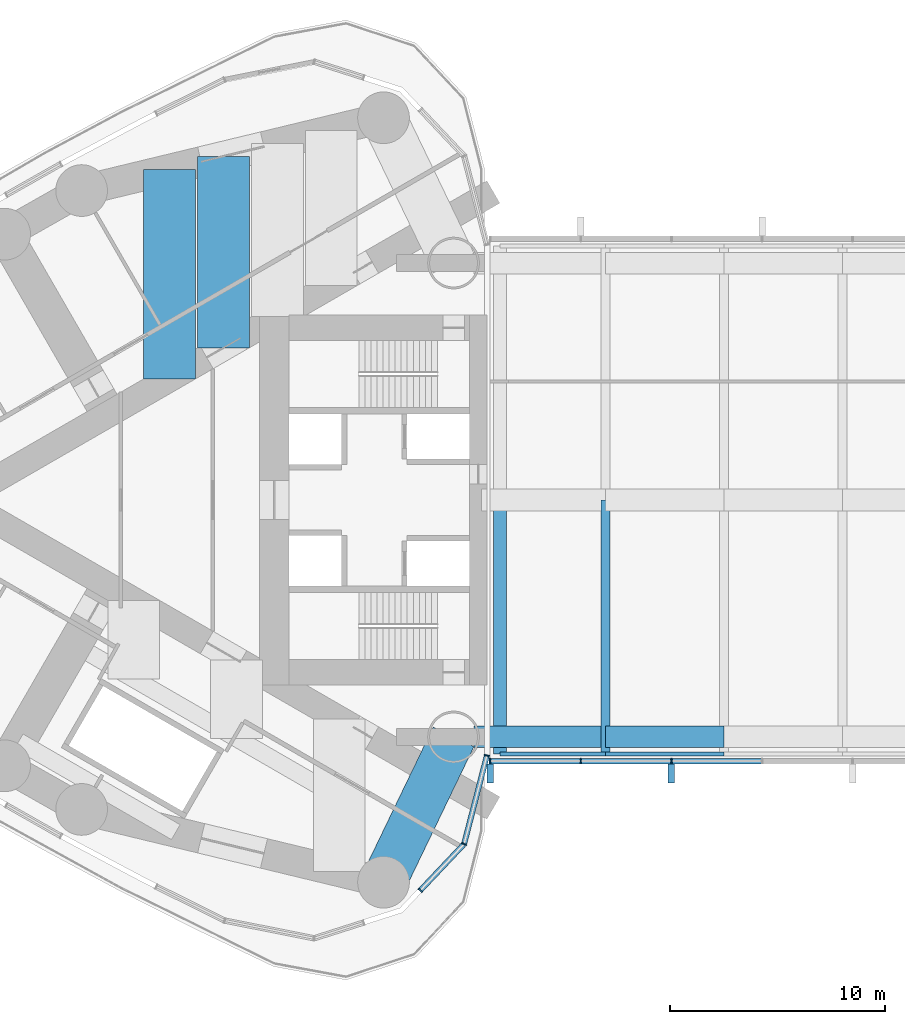
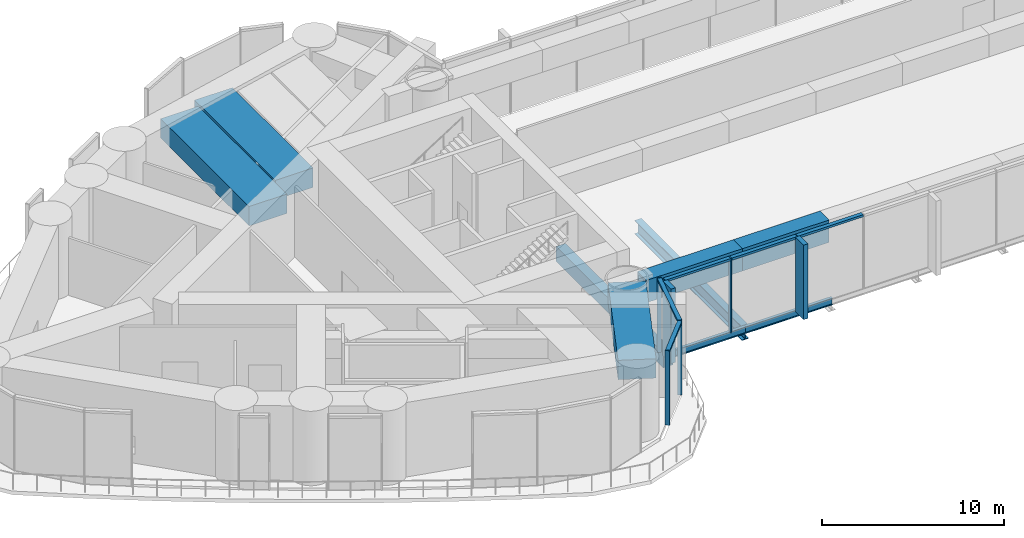
# One storey, part 3 of 22: 15 members, 7 beams, 2 elements without a shape of their own.
"""IFC4 building model written with IfcOpenShell, lengths in metres."""

from ifc_helpers import new_model, si_unit, direction, frame, origin, origin_2d, place, context, subcontext, project, spatial, rectangle, hollow_rectangle, i_section, extrude, material, material_profile, profile_set, type_object, element, aggregate, save


model = new_model("IFC4")

# Units and contexts
model_context = context("Model", 3, precision=1e-05, world=origin(), true_north=direction((0.0, 1.0)))
body_context = subcontext(model_context, "Body", "Model", "MODEL_VIEW")
ifc_project = project(units=[si_unit("LENGTHUNIT", "METRE"), si_unit("AREAUNIT", "SQUARE_METRE"), si_unit("VOLUMEUNIT", "CUBIC_METRE"), si_unit("PLANEANGLEUNIT", "RADIAN"), si_unit("MASSUNIT", "GRAM", prefix="KILO")], contexts=[model_context])

# Site, building, storey
site_placement = place(None, origin())
site = spatial("IfcSite", under=ifc_project, at=site_placement, CompositionType="ELEMENT")
building_placement = place(site_placement, origin())
building = spatial("IfcBuilding", under=site, at=building_placement, Name="Lancet Gate Hotel", CompositionType="ELEMENT")
storey_placement = place(building_placement, frame((0.0, 0.0, 210.300048828125)))
storey = spatial("IfcBuildingStorey", under=building, at=storey_placement, Name="L56", CompositionType="ELEMENT", Elevation=210.300048828125)

# Curtain wall, members
ifc_material_1 = material(Name="Aluminium curtain wall", Category="aluminium")
curtain_wall_type = type_object("IfcCurtainWallType", Name="Refuge storey louvred curtain wall", PredefinedType="USERDEFINED", material=ifc_material_1)
curtain_wall_1_placement = place(storey_placement, origin())
curtain_wall_1 = element("IfcCurtainWall", 1, at=curtain_wall_1_placement, inside=storey, type_object=curtain_wall_type, Name="T1 L56 curtain wall 11", ObjectType="LANTERN GLAZING", PredefinedType="USERDEFINED")
ifc_material_2 = material(Name="Aluminium mullion", Category="aluminium")
ifc_material_profile_1 = material_profile(ifc_material_2, rectangle(XDim=0.06494140625, YDim=0.25, at=origin_2d()), Name="MULLION 65x250")
ifc_profile_set_1 = profile_set([ifc_material_profile_1], Name="Aluminium mullion")
member_type_1 = type_object("IfcMemberType", Name="Aluminium mullion 65x250", PredefinedType="MULLION", material=ifc_profile_set_1)
member_1_placement = place(storey_placement, frame((-30.593017578125, -18.123291015625, 0.0), z_axis=(0.0, 0.0, 1.0), x_axis=(0.686882887577, 0.726768118972, 0.0)))
member_1 = element("IfcMember", 2, at=member_1_placement, type_object=member_type_1, Name="T1 L56 curtain wall 11 mullion 1", PredefinedType="MULLION", context=body_context, shape_type="SweptSolid", body=[
    extrude(rectangle(XDim=0.06494140625, YDim=0.25, at=origin_2d()), origin(), (0.0, 0.0, 1.0), 5.0),
])
member_2_placement = place(storey_placement, frame((-28.56005859375, -15.97216796875, 0.0), z_axis=(0.0, 0.0, 1.0), x_axis=(0.44287478238, 0.896583474715, 0.0)))
member_2 = element("IfcMember", 3, at=member_2_placement, type_object=member_type_1, Name="T1 L56 curtain wall 11 mullion 2", PredefinedType="MULLION", context=body_context, shape_type="SweptSolid", body=[
    extrude(rectangle(XDim=0.06494140625, YDim=0.25, at=origin_2d()), origin(), (0.0, 0.0, 1.0), 5.0),
])
member_3_placement = place(storey_placement, frame((-27.5, -11.861572265625, 0.0), z_axis=(0.0, 0.0, 1.0), x_axis=(0.249725827997, 0.968316586056, 0.0)))
member_3 = element("IfcMember", 4, at=member_3_placement, type_object=member_type_1, Name="T1 L56 curtain wall 11 mullion 3", PredefinedType="MULLION", context=body_context, shape_type="SweptSolid", body=[
    extrude(rectangle(XDim=0.06494140625, YDim=0.25, at=origin_2d()), origin(), (0.0, 0.0, 1.0), 5.0),
])

curtain_wall_2_placement = place(storey_placement, origin())
curtain_wall_2 = element("IfcCurtainWall", 5, at=curtain_wall_2_placement, inside=storey, type_object=curtain_wall_type, Name="Bridge block L56 curtain wall S", ObjectType="LANTERN GLAZING", PredefinedType="USERDEFINED")
member_4_placement = place(storey_placement, frame((-27.35009765625, -12.1201171875, 0.0), z_axis=(0.0, 0.0, 1.0), x_axis=(1.0, 0.0, 0.0)))
member_4 = element("IfcMember", 6, at=member_4_placement, type_object=member_type_1, Name="Bridge block L56 curtain wall S mullion 1", PredefinedType="MULLION", context=body_context, shape_type="SweptSolid", body=[
    extrude(rectangle(XDim=0.06494140625, YDim=0.25, at=origin_2d()), origin(), (0.0, 0.0, 1.0), 5.0),
])
member_5_placement = place(storey_placement, frame((-23.142333984375, -12.1201171875, 0.0), z_axis=(0.0, 0.0, 1.0), x_axis=(1.0, 0.0, 0.0)))
member_5 = element("IfcMember", 7, at=member_5_placement, type_object=member_type_1, Name="Bridge block L56 curtain wall S mullion 2", PredefinedType="MULLION", context=body_context, shape_type="SweptSolid", body=[
    extrude(rectangle(XDim=0.06494140625, YDim=0.25, at=origin_2d()), origin(), (0.0, 0.0, 1.0), 5.0),
])
member_6_placement = place(storey_placement, frame((-18.9345703125, -12.1201171875, 0.0), z_axis=(0.0, 0.0, 1.0), x_axis=(1.0, 0.0, 0.0)))
member_6 = element("IfcMember", 8, at=member_6_placement, type_object=member_type_1, Name="Bridge block L56 curtain wall S mullion 3", PredefinedType="MULLION", context=body_context, shape_type="SweptSolid", body=[
    extrude(rectangle(XDim=0.06494140625, YDim=0.25, at=origin_2d()), origin(), (0.0, 0.0, 1.0), 5.0),
])

# Member
ifc_material_3 = material(Name="Aluminium transom", Category="aluminium")
ifc_material_profile_2 = material_profile(ifc_material_3, rectangle(XDim=0.25, YDim=0.14990234375, at=origin_2d()), Name="TRANSOM 250x150")
ifc_profile_set_2 = profile_set([ifc_material_profile_2], Name="Aluminium transom")
member_type_2 = type_object("IfcMemberType", Name="Aluminium transom 250x150", PredefinedType="USERDEFINED", material=ifc_profile_set_2)
member_7_placement = place(storey_placement, frame((-30.57080078125, -18.099609375, 4.925048828125), z_axis=(0.686878579541, 0.726772190558, 0.0), x_axis=(-0.726772190558, 0.686878579541, 0.0)))
member_7 = element("IfcMember", 9, at=member_7_placement, type_object=member_type_2, Name="T1 L56 curtain wall 11 transom 1", ObjectType="TRANSOM", PredefinedType="USERDEFINED", context=body_context, shape_type="SweptSolid", body=[
    extrude(rectangle(XDim=0.25, YDim=0.14990234375, at=origin_2d()), origin(), (0.0, 0.0, 1.0), 2.894775390625),
])

member_8_placement = place(storey_placement, frame((-28.552001953125, -15.94091796875, 4.925048828125), z_axis=(0.249715522936, 0.968319243641, 0.0), x_axis=(-0.968319243641, 0.249715522936, 0.0)))
member_8 = element("IfcMember", 10, at=member_8_placement, type_object=member_type_2, Name="T1 L56 curtain wall 11 transom 2", ObjectType="TRANSOM", PredefinedType="USERDEFINED", context=body_context, shape_type="SweptSolid", body=[
    extrude(rectangle(XDim=0.25, YDim=0.14990234375, at=origin_2d()), origin(), (0.0, 0.0, 1.0), 4.180419921875),
])

aggregate(curtain_wall_1, [member_1, member_2, member_3, member_7, member_8])

member_9_placement = place(storey_placement, frame((-27.3173828125, -12.1201171875, 4.925048828125), z_axis=(1.0, 0.0, 0.0), x_axis=(0.0, 1.0, 0.0)))
member_9 = element("IfcMember", 11, at=member_9_placement, type_object=member_type_2, Name="Bridge block L56 curtain wall S transom 1", ObjectType="TRANSOM", PredefinedType="USERDEFINED", context=body_context, shape_type="SweptSolid", body=[
    extrude(rectangle(XDim=0.25, YDim=0.14990234375, at=origin_2d()), origin(), (0.0, 0.0, 1.0), 4.142578125),
])

member_10_placement = place(storey_placement, frame((-23.10986328125, -12.1201171875, 4.925048828125), z_axis=(1.0, 0.0, 0.0), x_axis=(0.0, 1.0, 0.0)))
member_10 = element("IfcMember", 12, at=member_10_placement, type_object=member_type_2, Name="Bridge block L56 curtain wall S transom 2", ObjectType="TRANSOM", PredefinedType="USERDEFINED", context=body_context, shape_type="SweptSolid", body=[
    extrude(rectangle(XDim=0.25, YDim=0.14990234375, at=origin_2d()), origin(), (0.0, 0.0, 1.0), 4.142822265625),
])

member_11_placement = place(storey_placement, frame((-18.902099609375, -12.1201171875, 4.925048828125), z_axis=(1.0, 0.0, 0.0), x_axis=(0.0, 1.0, 0.0)))
member_11 = element("IfcMember", 13, at=member_11_placement, type_object=member_type_2, Name="Bridge block L56 curtain wall S transom 3", ObjectType="TRANSOM", PredefinedType="USERDEFINED", context=body_context, shape_type="SweptSolid", body=[
    extrude(rectangle(XDim=0.25, YDim=0.14990234375, at=origin_2d()), origin(), (0.0, 0.0, 1.0), 4.142578125),
])

# Beams
ifc_material_4 = material(Name="Steel S355", Category="steel")
ifc_material_profile_3 = material_profile(ifc_material_4, i_section(OverallWidth=0.19140625, OverallDepth=0.4599609375, WebThickness=0.010009765625, FlangeThickness=0.01611328125, FilletRadius=0.01025390625, at=origin_2d()), Name="UKB 457x191x82")
ifc_profile_set_3 = profile_set([ifc_material_profile_3], Name="Steel S355")
beam_type_1 = type_object("IfcBeamType", Name="Block edge beam UKB 457x191x82", PredefinedType="SPANDREL", material=ifc_profile_set_3)
beam_1_placement = place(storey_placement, frame((-26.89990234375, -11.800048828125, -0.429931640625), z_axis=(1.0, 0.0, 0.0), x_axis=(0.0, 1.0, 0.0)))
element("IfcBeam", 14, at=beam_1_placement, inside=storey, type_object=beam_type_1, Name="Block edge beam S 0-1 L56", PredefinedType="SPANDREL", context=body_context, shape_type="SweptSolid", body=[
    extrude(i_section(OverallWidth=0.19140625, OverallDepth=0.4599609375, WebThickness=0.010009765625, FlangeThickness=0.01611328125, FilletRadius=0.01025390625, at=origin_2d()), origin(), (0.0, 0.0, 1.0), 4.89990234375),
])
beam_2_placement = place(storey_placement, frame((-22.0, -11.800048828125, -0.429931640625), z_axis=(1.0, 0.0, 0.0), x_axis=(0.0, 1.0, 0.0)))
element("IfcBeam", 15, at=beam_2_placement, inside=storey, type_object=beam_type_1, Name="Block edge beam S 1-2 L56", PredefinedType="SPANDREL", context=body_context, shape_type="SweptSolid", body=[
    extrude(i_section(OverallWidth=0.19140625, OverallDepth=0.4599609375, WebThickness=0.010009765625, FlangeThickness=0.01611328125, FilletRadius=0.01025390625, at=origin_2d()), origin(), (0.0, 0.0, 1.0), 5.5),
])
ifc_material_5 = material(Name="Steel S460QL", Category="steel")
ifc_material_profile_4 = material_profile(ifc_material_5, hollow_rectangle(XDim=0.60009765625, YDim=1.0, WallThickness=0.10009765625, at=origin_2d()), Name="BOX 1000x600x100")
ifc_profile_set_4 = profile_set([ifc_material_profile_4], Name="Steel S460QL")
beam_type_2 = type_object("IfcBeamType", Name="Block end beam BOX 1000x600x100", PredefinedType="BEAM", material=ifc_profile_set_4)
beam_3_placement = place(storey_placement, frame((-26.89990234375, -11.800048828125, -0.699951171875), z_axis=(0.0, 1.0, 0.0), x_axis=(-1.0, 0.0, 0.0)))
element("IfcBeam", 16, at=beam_3_placement, inside=storey, type_object=beam_type_2, Name="Block beam x0 S L56", PredefinedType="BEAM", context=body_context, shape_type="SweptSolid", body=[
    extrude(hollow_rectangle(XDim=0.60009765625, YDim=1.0, WallThickness=0.10009765625, at=origin_2d()), origin(), (0.0, 0.0, 1.0), 11.800048828125),
])
ifc_material_6 = material(Name="Steel S355", Category="steel")
ifc_material_profile_5 = material_profile(ifc_material_6, i_section(OverallWidth=0.42041015625, OverallDepth=0.9208984375, WebThickness=0.021484375, FlangeThickness=0.03662109375, FilletRadius=0.024169921875, at=origin_2d()), Name="UKB 914x419x388")
ifc_profile_set_5 = profile_set([ifc_material_profile_5], Name="Steel S355")
beam_type_3 = type_object("IfcBeamType", Name="Block plant floor beam UKB 914x419x388", PredefinedType="JOIST", material=ifc_profile_set_5)
beam_4_placement = place(storey_placement, frame((-22.0, -11.800048828125, -0.66064453125), z_axis=(0.0, 1.0, 0.0), x_axis=(-1.0, 0.0, 0.0)))
element("IfcBeam", 17, at=beam_4_placement, inside=storey, type_object=beam_type_3, Name="Block beam x1 S L56", PredefinedType="JOIST", context=body_context, shape_type="SweptSolid", body=[
    extrude(i_section(OverallWidth=0.42041015625, OverallDepth=0.9208984375, WebThickness=0.021484375, FlangeThickness=0.03662109375, FilletRadius=0.024169921875, at=origin_2d()), origin(), (0.0, 0.0, 1.0), 11.800048828125),
])
ifc_material_7 = material(Name="Concrete C50/60", Category="concrete")
ifc_material_profile_6 = material_profile(ifc_material_7, rectangle(XDim=2.10009765625, YDim=1.300048828125, at=origin_2d()), Name="RC 2100x1300")
ifc_profile_set_6 = profile_set([ifc_material_profile_6], Name="Concrete C50/60")
beam_type_4 = type_object("IfcBeamType", Name="Edge beam RC 2100x1300", PredefinedType="SPANDREL", material=ifc_profile_set_6)
beam_5_placement = place(storey_placement, frame((-29.050048828125, -11.0, 4.099853515625), z_axis=(-0.434163599361, -0.900834040759, 0.0), x_axis=(0.900834040759, -0.434163599361, 0.0)))
element("IfcBeam", 18, at=beam_5_placement, inside=storey, type_object=beam_type_4, Name="T1 edge beam EB1 L56", PredefinedType="SPANDREL", context=body_context, shape_type="SweptSolid", body=[
    extrude(rectangle(XDim=2.10009765625, YDim=1.300048828125, at=origin_2d()), origin(), (0.0, 0.0, 1.0), 7.48779296875),
])

# Member
ifc_material_8 = material(Name="Precast concrete C50/60", Category="concrete")
ifc_material_profile_7 = material_profile(ifc_material_8, rectangle(XDim=0.300048828125, YDim=0.89990234375, at=origin_2d()), Name="FIN 300x900")
ifc_profile_set_7 = profile_set([ifc_material_profile_7], Name="Precast concrete C50/60")
member_type_3 = type_object("IfcMemberType", Name="Exposed concrete fin 300x900", PredefinedType="USERDEFINED", material=ifc_profile_set_7)
member_12_placement = place(storey_placement, frame((-27.35009765625, -12.695068359375, 0.0), z_axis=(0.0, 0.0, 1.0), x_axis=(1.0, 0.0, 0.0)))
member_12 = element("IfcMember", 19, at=member_12_placement, type_object=member_type_3, Name="Bridge block L56 curtain wall S fin 1", ObjectType="FIN", PredefinedType="USERDEFINED", context=body_context, shape_type="SweptSolid", body=[
    extrude(rectangle(XDim=0.300048828125, YDim=0.89990234375, at=origin_2d()), origin(), (0.0, 0.0, 1.0), 5.0),
])

member_13_placement = place(storey_placement, frame((-18.9345703125, -12.695068359375, 0.0), z_axis=(0.0, 0.0, 1.0), x_axis=(1.0, 0.0, 0.0)))
member_13 = element("IfcMember", 20, at=member_13_placement, type_object=member_type_3, Name="Bridge block L56 curtain wall S fin 3", ObjectType="FIN", PredefinedType="USERDEFINED", context=body_context, shape_type="SweptSolid", body=[
    extrude(rectangle(XDim=0.300048828125, YDim=0.89990234375, at=origin_2d()), origin(), (0.0, 0.0, 1.0), 5.0),
])

aggregate(curtain_wall_2, [member_4, member_12, member_5, member_6, member_13, member_9, member_10, member_11])

# Beams
ifc_material_9 = material(Name="Concrete C50/60", Category="concrete")
ifc_material_profile_8 = material_profile(ifc_material_9, rectangle(XDim=2.39990234375, YDim=1.300048828125, at=origin_2d()), Name="RC 2400x1300")
ifc_profile_set_8 = profile_set([ifc_material_profile_8], Name="Concrete C50/60")
beam_type_5 = type_object("IfcBeamType", Name="Floor beam RC 2400x1300", PredefinedType="BEAM", material=ifc_profile_set_8)
beam_6_placement = place(storey_placement, frame((-39.734130859375, 15.952880859375, 4.099853515625), z_axis=(0.0, -1.0, 0.0), x_axis=(1.0, 0.0, 0.0)))
element("IfcBeam", 21, at=beam_6_placement, inside=storey, type_object=beam_type_5, Name="T1 floor beam F05S L56", PredefinedType="BEAM", context=body_context, shape_type="SweptSolid", body=[
    extrude(rectangle(XDim=2.39990234375, YDim=1.300048828125, at=origin_2d()), origin(), (0.0, 0.0, 1.0), 8.889404296875),
])
beam_7_placement = place(storey_placement, frame((-42.240966796875, 15.348388671875, 4.099853515625), z_axis=(0.0, -1.0, 0.0), x_axis=(1.0, 0.0, 0.0)))
element("IfcBeam", 22, at=beam_7_placement, inside=storey, type_object=beam_type_5, Name="T1 floor beam F06S L56", PredefinedType="BEAM", context=body_context, shape_type="SweptSolid", body=[
    extrude(rectangle(XDim=2.39990234375, YDim=1.300048828125, at=origin_2d()), origin(), (0.0, 0.0, 1.0), 9.732421875),
])

# Members
ifc_material_10 = material(Name="Steel S460QL", Category="steel")
ifc_material_profile_9 = material_profile(ifc_material_10, hollow_rectangle(XDim=1.0, YDim=1.5, WallThickness=0.14990234375, at=origin_2d()), Name="BOX 1500x1000x150")
ifc_profile_set_9 = profile_set([ifc_material_profile_9], Name="Steel S460QL")
member_type_4 = type_object("IfcMemberType", Name="Truss chord BOX 1500x1000x150", PredefinedType="CHORD", material=ifc_profile_set_9)
member_14_placement = place(storey_placement, frame((-28.10009765625, -11.0, 4.050048828125), z_axis=(1.0, 0.0, 0.0), x_axis=(0.0, 1.0, 0.0)))
element("IfcMember", 23, at=member_14_placement, inside=storey, type_object=member_type_4, Name="Truss S top chord panel 1", PredefinedType="CHORD", context=body_context, shape_type="SweptSolid", body=[
    extrude(hollow_rectangle(XDim=1.0, YDim=1.5, WallThickness=0.14990234375, at=origin_2d()), origin(), (0.0, 0.0, 1.0), 6.10009765625),
])
member_15_placement = place(storey_placement, frame((-22.0, -11.0, 4.050048828125), z_axis=(1.0, 0.0, 0.0), x_axis=(0.0, 1.0, 0.0)))
element("IfcMember", 24, at=member_15_placement, inside=storey, type_object=member_type_4, Name="Truss S top chord panel 2", PredefinedType="CHORD", context=body_context, shape_type="SweptSolid", body=[
    extrude(hollow_rectangle(XDim=1.0, YDim=1.5, WallThickness=0.14990234375, at=origin_2d()), origin(), (0.0, 0.0, 1.0), 5.5),
])

save(model, "model.ifc")
